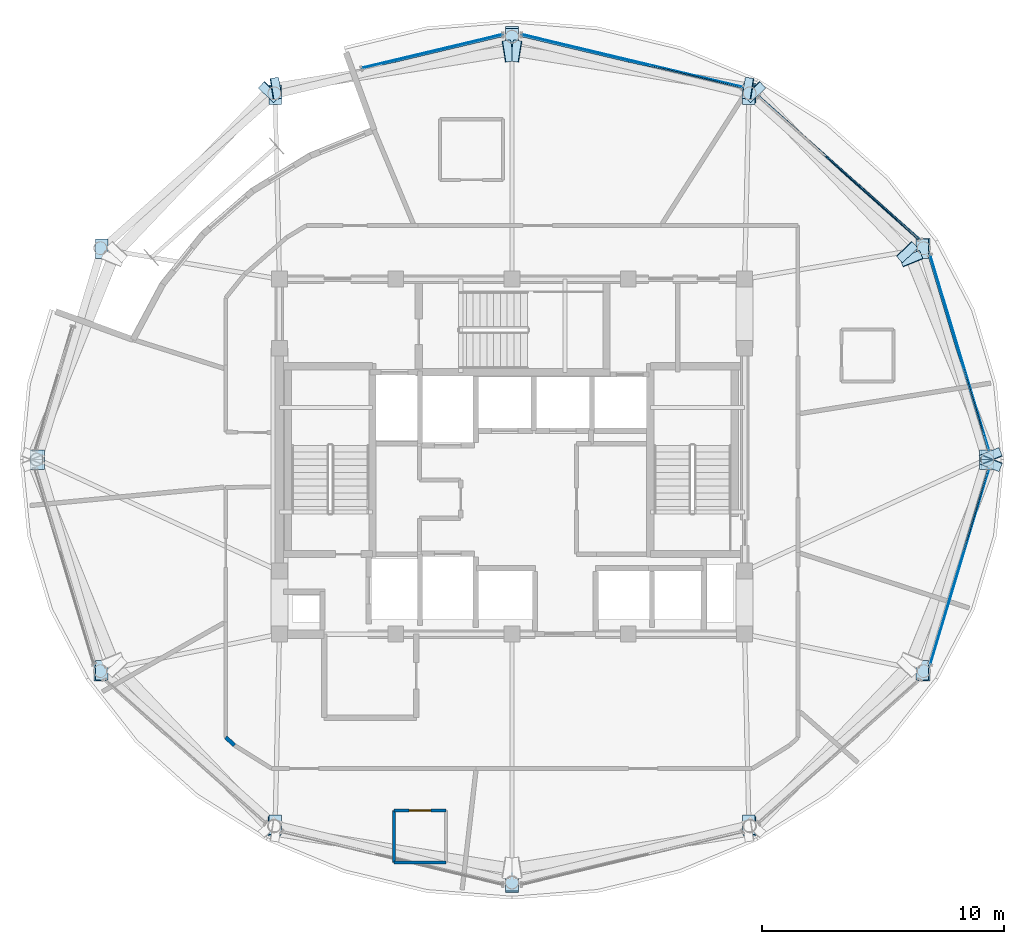
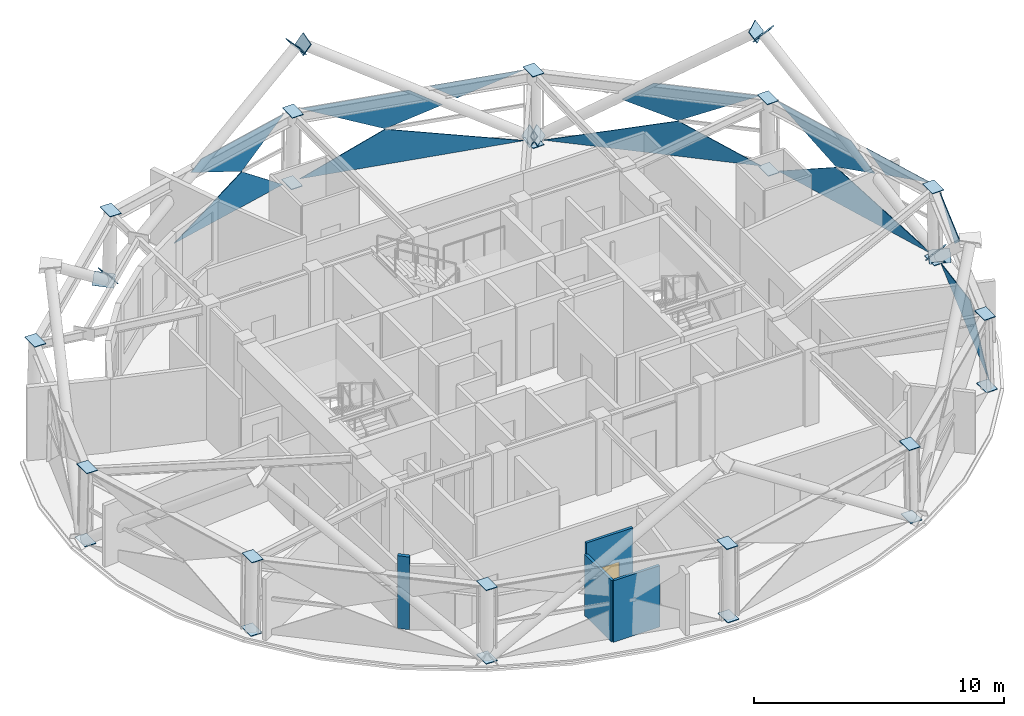
# One storey, part 7 of 15: 44 plates, 4 walls, 1 door, 1 opening, 5 elements without a shape of their own.
"""IFC4 building model written with IfcOpenShell, lengths in metres."""

from ifc_helpers import new_model, si_unit, direction, frame, frame_2d, origin, place, context, subcontext, project, spatial, polyline, rectangle, outline, extrude, material, layer, layer_set, type_object, element, fill, aggregate, save


model = new_model("IFC4")

# Units and contexts
model_context = context("Model", 3, precision=1e-05, world=origin(), true_north=direction((0.0, 1.0)))
body_context = subcontext(model_context, "Body", "Model", "MODEL_VIEW")
ifc_project = project(units=[si_unit("LENGTHUNIT", "METRE"), si_unit("AREAUNIT", "SQUARE_METRE"), si_unit("VOLUMEUNIT", "CUBIC_METRE"), si_unit("PLANEANGLEUNIT", "RADIAN"), si_unit("MASSUNIT", "GRAM", prefix="KILO")], contexts=[model_context])

# Site, building, storey
site_placement = place(None, origin())
site = spatial("IfcSite", under=ifc_project, at=site_placement, CompositionType="ELEMENT")
building_placement = place(site_placement, origin())
building = spatial("IfcBuilding", under=site, at=building_placement, Name="Vantalir Tower", CompositionType="ELEMENT")
storey_placement = place(building_placement, frame((0.0, 0.0, 275.10009765625)))
storey = spatial("IfcBuildingStorey", under=building, at=storey_placement, Name="L69", CompositionType="ELEMENT", Elevation=275.10009765625)

# Curtain wall, plates
ifc_material_1 = material(Name="Champagne-silver PVDF aluminium and double-silver Low-E glass", Category="aluminium")
ifc_layer_1 = layer(ifc_material_1, 0.219970703125)
ifc_layer_set_1 = layer_set([ifc_layer_1], Name="Champagne-silver PVDF aluminium and double-silver Low-E glass")
curtain_wall_type = type_object("IfcCurtainWallType", Name="CW-DIAMOND-Z4", PredefinedType="USERDEFINED", material=ifc_layer_set_1)
curtain_wall_1_placement = place(storey_placement, origin())
curtain_wall_1 = element("IfcCurtainWall", 1, at=curtain_wall_1_placement, inside=storey, type_object=curtain_wall_type, Name="L69 Quilted Pyramid-Diamond Curtain Wall S01", ObjectType="UNITISED CURTAIN WALL", PredefinedType="USERDEFINED")
ifc_material_2 = material(Name="Double-silver Low-E acoustic glass IGU", Category="glass")
ifc_layer_2 = layer(ifc_material_2, 0.031982421875)
ifc_layer_set_2 = layer_set([ifc_layer_2], Name="Double-silver Low-E acoustic glass IGU")
plate_type_1 = type_object("IfcPlateType", Name="CWP-IGU-32", PredefinedType="CURTAIN_PANEL", material=ifc_layer_set_2)
plate_1_placement = place(storey_placement, frame((51.203369140625, 25.3876953125, 0.046875), z_axis=(0.957604111575, 0.287966061156, 0.008361406346), x_axis=(-0.287976360321, 0.957637517568, 2.9029875e-05)))
plate_1 = element("IfcPlate", 2, at=plate_1_placement, type_object=plate_type_1, Name="CW-L69-S01 Pyramid Diamond Facet 1L", PredefinedType="CURTAIN_PANEL", context=body_context, shape_type="SweptSolid", body=[
    extrude(outline(polyline([(0.0, 0.0), (8.409978504136427, 9.215718466126788e-19), (5.21001830640283, 1.725006712147774), (0.0, 0.0)])), origin(), (0.0, 0.0, -1.0), 0.031982421875),
])
plate_2_placement = place(storey_placement, frame((49.876708984375, 29.531982421875, 3.52294921875), z_axis=(0.956999253722, 0.287851344839, 0.035972651417), x_axis=(-0.288035694593, 0.957619671381, -6.0197969e-05)))
plate_2 = element("IfcPlate", 3, at=plate_2_placement, type_object=plate_type_1, Name="CW-L69-S01 Pyramid Diamond Facet 2U", PredefinedType="CURTAIN_PANEL", context=body_context, shape_type="SweptSolid", body=[
    extrude(outline(polyline([(0.0, 0.0), (4.044712519839099, 8.429671891074797e-18), (0.8592034600220758, -1.7261631534987343), (-1.2797720131007355, -1.0144048077991257), (0.0, 0.0)])), origin(), (0.0, 0.0, -1.0), 0.031982421875),
])
plate_3_placement = place(storey_placement, frame((51.157958984375, 25.398193359375, 3.5244140625), z_axis=(0.956982534962, 0.287897475671, 0.036048179985), x_axis=(-0.288082309931, 0.957605648405, -6.9618731e-05)))
plate_3 = element("IfcPlate", 4, at=plate_3_placement, type_object=plate_type_1, Name="CW-L69-S01 Pyramid Diamond Facet 2U Infill Light", PredefinedType="CURTAIN_PANEL", context=body_context, shape_type="SweptSolid", body=[
    extrude(outline(polyline([(0.0, 0.0), (3.50682381883066, 5.1228552649940085e-18), (2.4697584677772304, -0.8218954520316802), (0.0, 0.0)])), origin(), (0.0, 0.0, -1.0), 0.031982421875),
])
aggregate(curtain_wall_1, [plate_1, plate_2, plate_3])

curtain_wall_2_placement = place(storey_placement, origin())
curtain_wall_2 = element("IfcCurtainWall", 5, at=curtain_wall_2_placement, inside=storey, type_object=curtain_wall_type, Name="L69 Quilted Pyramid-Diamond Curtain Wall S02", ObjectType="UNITISED CURTAIN WALL", PredefinedType="USERDEFINED")
plate_4_placement = place(storey_placement, frame((48.36279296875, 34.098388671875, 0.047119140625), z_axis=(0.665151008486, 0.746671409792, 0.007479419082), x_axis=(-0.746692021826, 0.665169919296, -5.4823203e-05)))
plate_4 = element("IfcPlate", 6, at=plate_4_placement, type_object=plate_type_1, Name="CW-L69-S02 Pyramid Diamond Facet 1L", PredefinedType="CURTAIN_PANEL", context=body_context, shape_type="SweptSolid", body=[
    extrude(outline(polyline([(0.0, 0.0), (8.906470714310434, 3.3068166260807885e-18), (3.3911132197052147, 1.7253318302117941), (0.0, 0.0)])), origin(), (0.0, 0.0, -1.0), 0.031982421875),
])
plate_5_placement = place(storey_placement, frame((48.292724609375, 34.062255859375, 3.522705078125), z_axis=(0.664843369795, 0.746182130521, 0.034576317479), x_axis=(-0.746629861989, 0.665239690658, 5.6216274e-05)))
plate_5 = element("IfcPlate", 7, at=plate_5_placement, type_object=plate_type_1, Name="CW-L69-S02 Pyramid Diamond Facet 2U", PredefinedType="CURTAIN_PANEL", context=body_context, shape_type="SweptSolid", body=[
    extrude(outline(polyline([(0.0, 0.0), (4.3492869688753375, 1.1275702593849246e-17), (5.665571421070006, -1.0040927138565632), (3.362871188413819, -1.7263185812799955), (0.0, 0.0)])), origin(), (0.0, 0.0, -1.0), 0.031982421875),
])
aggregate(curtain_wall_2, [plate_4, plate_5])

curtain_wall_3_placement = place(storey_placement, origin())
curtain_wall_3 = element("IfcCurtainWall", 8, at=curtain_wall_3_placement, inside=storey, type_object=curtain_wall_type, Name="L69 Quilted Pyramid-Diamond Curtain Wall S03", ObjectType="UNITISED CURTAIN WALL", PredefinedType="USERDEFINED")
plate_6_placement = place(storey_placement, frame((41.01611328125, 40.385986328125, 0.046630859375), z_axis=(0.232221341907, 0.972642544246, 0.006303133056), x_axis=(-0.97266190389, 0.232225795386, 2.6031364e-05)))
plate_6 = element("IfcPlate", 9, at=plate_6_placement, type_object=plate_type_1, Name="CW-L69-S03 Pyramid Diamond Facet 1L", PredefinedType="CURTAIN_PANEL", context=body_context, shape_type="SweptSolid", body=[
    extrude(outline(polyline([(0.0, 0.0), (9.378710543343471, 6.2341624917916505e-19), (5.809914485881355, 1.7254689744261527), (0.0, 0.0)])), origin(), (0.0, 0.0, -1.0), 0.031982421875),
])
plate_7_placement = place(storey_placement, frame((36.2998046875, 41.4404296875, 3.52294921875), z_axis=(0.232018905247, 0.972123742793, 0.033803199644), x_axis=(-0.972679625293, 0.232151559415, 5.61551e-07)))
plate_7 = element("IfcPlate", 10, at=plate_7_placement, type_object=plate_type_1, Name="CW-L69-S03 Pyramid Diamond Facet 2U", PredefinedType="CURTAIN_PANEL", context=body_context, shape_type="SweptSolid", body=[
    extrude(outline(polyline([(0.0, 0.0), (4.529742667009281, 0.0), (0.9775081115874013, -1.7263289280254674), (-1.4124941260072281, -1.0130267711499568), (0.0, 0.0)])), origin(), (0.0, 0.0, -1.0), 0.031982421875),
])
plate_8_placement = place(storey_placement, frame((40.984619140625, 40.359130859375, 3.5244140625), z_axis=(0.232033056585, 0.972116548684, 0.033912776744), x_axis=(-0.972675544698, 0.232168647529, -6.2060585e-05)))
plate_8 = element("IfcPlate", 11, at=plate_8_placement, type_object=plate_type_1, Name="CW-L69-S03 Pyramid Diamond Facet 2U Infill Light", PredefinedType="CURTAIN_PANEL", context=body_context, shape_type="SweptSolid", body=[
    extrude(outline(polyline([(0.0, 0.0), (3.9339079063755373, -2.087089182034596e-18), (2.7782925911796483, -0.8289176568402569), (0.0, 0.0)])), origin(), (0.0, 0.0, -1.0), 0.031982421875),
])
aggregate(curtain_wall_3, [plate_6, plate_7, plate_8])

curtain_wall_4_placement = place(storey_placement, origin())
curtain_wall_4 = element("IfcCurtainWall", 12, at=curtain_wall_4_placement, inside=storey, type_object=curtain_wall_type, Name="L69 Quilted Pyramid-Diamond Curtain Wall S04", ObjectType="UNITISED CURTAIN WALL", PredefinedType="USERDEFINED")
plate_9_placement = place(storey_placement, frame((31.1064453125, 42.56396484375, 0.048095703125), z_axis=(-0.23222507077, 0.972641752051, 0.006287978466), x_axis=(-0.972661097042, -0.232229161909, -8.1612779e-05)))
plate_9 = element("IfcPlate", 13, at=plate_9_placement, type_object=plate_type_1, Name="CW-L69-S04 Pyramid Diamond Facet 1L", PredefinedType="CURTAIN_PANEL", context=body_context, shape_type="SweptSolid", body=[
    extrude(outline(polyline([(0.0, 0.0), (5.982901912289077, 1.5178830414797062e-18), (2.2767823431573264, 1.7231202761787303), (0.0, 0.0)])), origin(), (0.0, 0.0, -1.0), 0.031982421875),
])
plate_10_placement = place(storey_placement, frame((31.1064453125, 42.4921875, 3.521728515625), z_axis=(-0.232060517014, 0.972109110604, 0.033938083678), x_axis=(-0.972668569001, -0.232197853423, 0.000108367041)))
plate_10 = element("IfcPlate", 14, at=plate_10_placement, type_object=plate_type_1, Name="CW-L69-S04 Pyramid Diamond Facet 2U", PredefinedType="CURTAIN_PANEL", context=body_context, shape_type="SweptSolid", body=[
    extrude(outline(polyline([(0.0, 0.0), (4.53133755887724, 9.432558900623889e-18), (5.0925132899782, -0.40263927717436016), (2.2601827252252593, -1.724135773960961), (0.0, 0.0)])), origin(), (0.0, 0.0, -1.0), 0.031982421875),
])
aggregate(curtain_wall_4, [plate_9, plate_10])

curtain_wall_5_placement = place(storey_placement, origin())
curtain_wall_5 = element("IfcCurtainWall", 15, at=curtain_wall_5_placement, inside=storey, type_object=curtain_wall_type, Name="L69 Quilted Pyramid-Diamond Curtain Wall S12", ObjectType="UNITISED CURTAIN WALL", PredefinedType="USERDEFINED")
plate_11_placement = place(storey_placement, frame((48.781494140625, 16.55859375, 0.047119140625), z_axis=(0.957604111575, -0.287966061156, 0.008361406346), x_axis=(0.287976360321, 0.957637517568, -2.9029875e-05)))
plate_11 = element("IfcPlate", 16, at=plate_11_placement, type_object=plate_type_1, Name="CW-L69-S12 Pyramid Diamond Facet 1L", PredefinedType="CURTAIN_PANEL", context=body_context, shape_type="SweptSolid", body=[
    extrude(outline(polyline([(0.0, 0.0), (8.409978504136427, -9.215718466126788e-19), (3.199960197733598, 1.725006712147774), (0.0, 0.0)])), origin(), (0.0, 0.0, -1.0), 0.031982421875),
])
plate_12_placement = place(storey_placement, frame((50.147705078125, 21.24365234375, 3.524169921875), z_axis=(0.956982534962, -0.287897475671, 0.036048179985), x_axis=(0.288082309931, 0.957605648405, 6.9618731e-05)))
plate_12 = element("IfcPlate", 17, at=plate_12_placement, type_object=plate_type_1, Name="CW-L69-S12 Pyramid Diamond Facet 2U Infill Light", PredefinedType="CURTAIN_PANEL", context=body_context, shape_type="SweptSolid", body=[
    extrude(outline(polyline([(0.0, 0.0), (3.50682381883066, -5.1228552649940085e-18), (1.03706535105343, -0.8218954520316802), (0.0, 0.0)])), origin(), (0.0, 0.0, -1.0), 0.031982421875),
])
aggregate(curtain_wall_5, [plate_11, plate_12])

# Plates
ifc_material_3 = material(Name="Steel S460", Category="steel")
ifc_layer_3 = layer(ifc_material_3, 0.035888671875)
ifc_layer_set_3 = layer_set([ifc_layer_3], Name="Steel S460")
plate_type_2 = type_object("IfcPlateType", Name="PLT-KN-Z2", PredefinedType="USERDEFINED", material=ifc_layer_set_3)
plate_13_placement = place(storey_placement, frame((51.59423828125, 25.496826171875, -0.007080078125), z_axis=(-0.293491413261, 0.729149543793, 0.618226279875), x_axis=(-0.927670974944, -0.373398663958, 0.0)))
element("IfcPlate", 18, at=plate_13_placement, inside=storey, type_object=plate_type_2, Name="Node Cap Plate MEM-DG-L69-R01L Start", ObjectType="FLANGE_PLATE", PredefinedType="USERDEFINED", context=body_context, shape_type="SweptSolid", body=[
    extrude(outline(polyline([(0.0, 0.0), (0.8800601420658444, 2.7755575615628914e-17), (0.8798837785566065, 0.5799115119921887), (-0.00017636350923788856, 0.5799115119921887), (0.0, 0.0)])), origin(), (0.0, 0.0, -1.0), 0.035888671875),
])
plate_14_placement = place(storey_placement, frame((48.317626953125, 33.6357421875, 6.893310546875), z_axis=(-0.293601828117, 0.72904397498, 0.618298349562), x_axis=(-0.927592593642, -0.373593333486, 3.7340597e-05)))
element("IfcPlate", 19, at=plate_14_placement, inside=storey, type_object=plate_type_2, Name="Node Cap Plate MEM-DG-L69-R01L End", ObjectType="FLANGE_PLATE", PredefinedType="USERDEFINED", context=body_context, shape_type="SweptSolid", body=[
    extrude(outline(polyline([(0.0, 0.0), (0.8801513313833746, 0.0), (0.8800672252293938, 0.579911530275008), (0.0002335661915094532, 0.5799951481075296), (0.0, 0.0)])), origin(), (0.0, 0.0, -1.0), 0.035888671875),
])
plate_15_placement = place(storey_placement, frame((50.77783203125, 24.831787109375, -0.007080078125), z_axis=(-0.293491413261, -0.729149543793, 0.618226279875), x_axis=(0.927670974944, -0.373398663958, 0.0)))
element("IfcPlate", 20, at=plate_15_placement, inside=storey, type_object=plate_type_2, Name="Node Cap Plate MEM-DG-L69-R01R Start", ObjectType="FLANGE_PLATE", PredefinedType="USERDEFINED", context=body_context, shape_type="SweptSolid", body=[
    extrude(outline(polyline([(0.0, 0.0), (0.8800601420658444, -2.7755575615628914e-17), (0.8802365055750823, 0.5799115119921887), (0.00017636350923788856, 0.5799115119921887), (0.0, 0.0)])), origin(), (0.0, 0.0, -1.0), 0.035888671875),
])
plate_16_placement = place(storey_placement, frame((41.130615234375, 40.78271484375, -0.023681640625), z_axis=(-0.803713802498, 0.129642187055, 0.580721126712), x_axis=(-0.159252877978, -0.987237823803, -1.0444768e-05)))
element("IfcPlate", 21, at=plate_16_placement, inside=storey, type_object=plate_type_2, Name="Node Cap Plate MEM-DG-L69-R07L Start", ObjectType="FLANGE_PLATE", PredefinedType="USERDEFINED", context=body_context, shape_type="SweptSolid", body=[
    extrude(outline(polyline([(0.0, 0.0), (0.8798836252561697, 1.3877787807814457e-17), (0.8799494702878352, 0.5799971461975794), (-0.0001751798276613569, 0.5799745656542845), (0.0, 0.0)])), origin(), (0.0, 0.0, -1.0), 0.035888671875),
])
plate_17_placement = place(storey_placement, frame((31.55810546875, 42.326416015625, 6.892333984375), z_axis=(-0.803701023683, 0.129621912783, 0.580743337678), x_axis=(-0.15922371753, -0.987242527334, 0.0)))
element("IfcPlate", 22, at=plate_17_placement, inside=storey, type_object=plate_type_2, Name="Node Cap Plate MEM-DG-L69-R07L End", ObjectType="FLANGE_PLATE", PredefinedType="USERDEFINED", context=body_context, shape_type="SweptSolid", body=[
    extrude(outline(polyline([(0.0, 0.0), (0.8801246505474388, 0.0), (0.8802053763134176, 0.5799971445332299), (8.072576597879799e-05, 0.5799971445332299), (0.0, 0.0)])), origin(), (0.0, 0.0, -1.0), 0.035888671875),
])
plate_18_placement = place(storey_placement, frame((41.3369140625, 39.730224609375, -0.013427734375), z_axis=(0.549133273298, -0.577656805513, 0.603957997879), x_axis=(0.724773035438, 0.688987697348, 2.389139e-06)))
element("IfcPlate", 23, at=plate_18_placement, inside=storey, type_object=plate_type_2, Name="Node Cap Plate MEM-DG-L69-R07R Start", ObjectType="FLANGE_PLATE", PredefinedType="USERDEFINED", context=body_context, shape_type="SweptSolid", body=[
    extrude(outline(polyline([(0.0, 0.0), (0.8801946732936545, 5.551115123125783e-17), (0.8799657202018253, 0.5798578901498292), (0.00011620333707358386, 0.579863166065134), (0.0, 0.0)])), origin(), (0.0, 0.0, -1.0), 0.035888671875),
])
plate_19_placement = place(storey_placement, frame((47.616455078125, 33.125732421875, 6.892822265625), z_axis=(0.549147817676, -0.577445289762, 0.60414701164), x_axis=(0.724639153367, 0.689128505729, 0.0)))
element("IfcPlate", 24, at=plate_19_placement, inside=storey, type_object=plate_type_2, Name="Node Cap Plate MEM-DG-L69-R07R End", ObjectType="FLANGE_PLATE", PredefinedType="USERDEFINED", context=body_context, shape_type="SweptSolid", body=[
    extrude(outline(polyline([(0.0, 0.0), (0.8800177433652661, 0.0), (0.8800239746343066, 0.5799647775669764), (6.231269040535281e-06, 0.5799647775669764), (0.0, 0.0)])), origin(), (0.0, 0.0, -1.0), 0.035888671875),
])
plate_20_placement = place(storey_placement, frame((21.025146484375, 40.336669921875, -0.013427734375), z_axis=(-0.549133273298, -0.577656805513, 0.603957997879), x_axis=(0.724773035438, -0.688987697348, -2.389139e-06)))
element("IfcPlate", 25, at=plate_20_placement, inside=storey, type_object=plate_type_2, Name="Node Cap Plate MEM-DG-L69-R13L Start", ObjectType="FLANGE_PLATE", PredefinedType="USERDEFINED", context=body_context, shape_type="SweptSolid", body=[
    extrude(outline(polyline([(0.0, 0.0), (0.8801946732936545, -5.551115123125783e-17), (0.880078469956581, 0.579863166065134), (0.00022895309182914816, 0.5798578901498292), (0.0, 0.0)])), origin(), (0.0, 0.0, -1.0), 0.035888671875),
])
plate_21_placement = place(storey_placement, frame((22.009521484375, 39.9140625, -0.023681640625), z_axis=(0.803713802498, 0.129642187055, 0.580721126712), x_axis=(-0.159252877978, 0.987237823803, 1.0444768e-05)))
element("IfcPlate", 26, at=plate_21_placement, inside=storey, type_object=plate_type_2, Name="Node Cap Plate MEM-DG-L69-R13R Start", ObjectType="FLANGE_PLATE", PredefinedType="USERDEFINED", context=body_context, shape_type="SweptSolid", body=[
    extrude(outline(polyline([(0.0, 0.0), (0.8798836252561697, -1.3877787807814457e-17), (0.880058805083831, 0.5799745656542845), (-6.584503166548136e-05, 0.5799971461975794), (0.0, 0.0)])), origin(), (0.0, 0.0, -1.0), 0.035888671875),
])
plate_22_placement = place(storey_placement, frame((31.58203125, 41.45751953125, 6.892333984375), z_axis=(0.803701023683, 0.129621912783, 0.580743337678), x_axis=(-0.15922371753, 0.987242527334, 0.0)))
element("IfcPlate", 27, at=plate_22_placement, inside=storey, type_object=plate_type_2, Name="Node Cap Plate MEM-DG-L69-R13R End", ObjectType="FLANGE_PLATE", PredefinedType="USERDEFINED", context=body_context, shape_type="SweptSolid", body=[
    extrude(outline(polyline([(0.0, 0.0), (0.8801246505474388, 0.0), (0.88004392478146, 0.5799971445332299), (-8.072576597879799e-05, 0.5799971445332299), (0.0, 0.0)])), origin(), (0.0, 0.0, -1.0), 0.035888671875),
])
ifc_layer_4 = layer(ifc_material_3, 0.031982421875)
ifc_layer_set_4 = layer_set([ifc_layer_4], Name="Steel S460")
plate_type_3 = type_object("IfcPlateType", Name="PLT-KN-Z3", PredefinedType="USERDEFINED", material=ifc_layer_set_4)
for number, where, z_axis, x_axis, name in (
    (28, (50.78955078125, 25.39990234375, 3.588134765625), (-0.022070714593, 0.0, 0.999756412111), (0.0, -1.0, 0.0), "L69 Ring Column Top Cap RC01"),
    (29, (50.868896484375, 25.39990234375, 0.047119140625), (-0.022070714593, 0.0, 0.999756412111), (0.0, -1.0, 0.0), "L69 Ring Column Base Cap RC01"),
):
    element("IfcPlate", number, at=place(storey_placement, frame(where, z_axis=z_axis, x_axis=x_axis)), inside=storey, type_object=plate_type_3, Name=name, ObjectType="FLANGE_PLATE", PredefinedType="USERDEFINED", context=body_context, shape_type="SweptSolid", body=[
        extrude(outline(polyline([(0.0, 0.0), (0.7998046875, 0.0), (0.7998046875, 0.5199020324635019), (0.0, 0.5199020324635019), (0.0, 0.0)])), origin(), (0.0, 0.0, -1.0), 0.031982421875),
    ])
plate_23_placement = place(storey_placement, frame((48.170654296875, 34.097900390625, 3.593017578125), z_axis=(-0.019258048795, -0.010067808127, 0.999763855516), x_axis=(0.0, -0.999949299532, -0.010069675583)))
element("IfcPlate", 30, at=plate_23_placement, inside=storey, type_object=plate_type_3, Name="L69 Ring Column Top Cap RC02", ObjectType="FLANGE_PLATE", PredefinedType="USERDEFINED", context=body_context, shape_type="SweptSolid", body=[
    extrude(outline(polyline([(0.0, 0.0), (0.80008939303202, 0.0), (0.8002327261864732, 0.5198718026278117), (0.00014333315445323248, 0.5198718026278119), (0.0, 0.0)])), origin(), (0.0, 0.0, -1.0), 0.031982421875),
])
plate_24_placement = place(storey_placement, frame((48.239013671875, 34.133544921875, 0.052001953125), z_axis=(-0.019246648411, -0.010069346548, 0.999764059559), x_axis=(2.9568e-08, -0.999949284063, -0.010071211509)))
element("IfcPlate", 31, at=plate_24_placement, inside=storey, type_object=plate_type_3, Name="L69 Ring Column Base Cap RC02", ObjectType="FLANGE_PLATE", PredefinedType="USERDEFINED", context=body_context, shape_type="SweptSolid", body=[
    extrude(outline(polyline([(0.0, 0.0), (0.8000893930310758, 2.710505431213761e-20), (0.7999885979404613, 0.5201158506796115), (0.0001433331525650443, 0.5201158979958971), (0.0, 0.0)])), origin(), (0.0, 0.0, -1.0), 0.031982421875),
])
for number, where, z_axis, x_axis, name in (
    (32, (41.0146484375, 40.464599609375, 3.59814453125), (-0.011038731241, -0.017548120332, 0.999785081848), (-1.684162e-06, -0.999846000787, -0.017549208169), "L69 Ring Column Top Cap RC03"),
    (33, (41.054443359375, 40.527099609375, 0.05712890625), (-0.011038731241, -0.017548120332, 0.999785081848), (-1.684162e-06, -0.999846000787, -0.017549208169), "L69 Ring Column Base Cap RC03"),
):
    element("IfcPlate", number, at=place(storey_placement, frame(where, z_axis=z_axis, x_axis=x_axis)), inside=storey, type_object=plate_type_3, Name=name, ObjectType="FLANGE_PLATE", PredefinedType="USERDEFINED", context=body_context, shape_type="SweptSolid", body=[
        extrude(outline(polyline([(0.0, 0.0), (0.799930017737327, 5.421010862427522e-20), (0.8000704175760921, 0.5200525647995917), (0.0001446843134157658, 0.5200498702190909), (0.0, 0.0)])), origin(), (0.0, 0.0, -1.0), 0.031982421875),
    ])
plate_25_placement = place(storey_placement, frame((31.239990234375, 42.79541015625, 3.60205078125), z_axis=(0.0, -0.020142432833, 0.99979712062), x_axis=(0.0, -0.99979712062, -0.020142432833)))
element("IfcPlate", 34, at=plate_25_placement, inside=storey, type_object=plate_type_3, Name="L69 Ring Column Top Cap RC04", ObjectType="FLANGE_PLATE", PredefinedType="USERDEFINED", context=body_context, shape_type="SweptSolid", body=[
    extrude(outline(polyline([(0.0, 0.0), (0.7999669843059863, 0.0), (0.7999669843059863, 0.52001953125), (0.0, 0.52001953125), (0.0, 0.0)])), origin(), (0.0, 0.0, -1.0), 0.031982421875),
])
plate_26_placement = place(storey_placement, frame((31.239990234375, 42.866943359375, 0.06103515625), z_axis=(0.0, -0.020136288718, 0.999797244383), x_axis=(0.0, -0.999797244383, -0.020136288718)))
element("IfcPlate", 35, at=plate_26_placement, inside=storey, type_object=plate_type_3, Name="L69 Ring Column Base Cap RC04", ObjectType="FLANGE_PLATE", PredefinedType="USERDEFINED", context=body_context, shape_type="SweptSolid", body=[
    extrude(outline(polyline([(0.0, 0.0), (0.8002110754149978, 0.0), (0.8002110754149978, 0.52001953125), (0.0, 0.52001953125), (0.0, 0.0)])), origin(), (0.0, 0.0, -1.0), 0.031982421875),
])
plate_27_placement = place(storey_placement, frame((21.46533203125, 40.46435546875, 3.603759765625), z_axis=(0.011038731241, -0.017548120332, 0.999785081848), x_axis=(-1.684171e-06, -0.99984600144, -0.017549170991)))
element("IfcPlate", 36, at=plate_27_placement, inside=storey, type_object=plate_type_3, Name="L69 Ring Column Top Cap RC05", ObjectType="FLANGE_PLATE", PredefinedType="USERDEFINED", context=body_context, shape_type="SweptSolid", body=[
    extrude(outline(polyline([(0.0, 0.0), (0.7999257332672147, 0.0), (0.7997835816114477, 0.5200525643236991), (-0.00014643612134094798, 0.5200498697287659), (0.0, 0.0)])), origin(), (0.0, 0.0, -1.0), 0.031982421875),
])
plate_28_placement = place(storey_placement, frame((14.3095703125, 34.09765625, 3.60302734375), z_axis=(0.019258048795, -0.010067808127, 0.999763855516), x_axis=(0.0, -0.999949299532, -0.010069675583)))
element("IfcPlate", 37, at=plate_28_placement, inside=storey, type_object=plate_type_3, Name="L69 Ring Column Top Cap RC06", ObjectType="FLANGE_PLATE", PredefinedType="USERDEFINED", context=body_context, shape_type="SweptSolid", body=[
    extrude(outline(polyline([(0.0, 0.0), (0.80008939303202, 0.0), (0.7999460598775668, 0.5198718026278117), (-0.00014333315445323248, 0.5198718026278119), (0.0, 0.0)])), origin(), (0.0, 0.0, -1.0), 0.031982421875),
])
for number, where, z_axis, x_axis, name in (
    (38, (11.690673828125, 25.39990234375, 3.599609375), (0.022070714593, 0.0, 0.999756412111), (0.0, -1.0, 0.0), "L69 Ring Column Top Cap RC07"),
    (39, (11.611328125, 25.39990234375, 0.05859375), (0.022070714593, 0.0, 0.999756412111), (0.0, -1.0, 0.0), "L69 Ring Column Base Cap RC07"),
):
    element("IfcPlate", number, at=place(storey_placement, frame(where, z_axis=z_axis, x_axis=x_axis)), inside=storey, type_object=plate_type_3, Name=name, ObjectType="FLANGE_PLATE", PredefinedType="USERDEFINED", context=body_context, shape_type="SweptSolid", body=[
        extrude(outline(polyline([(0.0, 0.0), (0.7998046875, 0.0), (0.7998046875, 0.5199020324635019), (0.0, 0.5199020324635019), (0.0, 0.0)])), origin(), (0.0, 0.0, -1.0), 0.031982421875),
    ])
plate_29_placement = place(storey_placement, frame((14.3095703125, 16.702392578125, 3.594970703125), z_axis=(0.019258048795, 0.010067808127, 0.999763855516), x_axis=(0.0, -0.999949299532, 0.010069675583)))
element("IfcPlate", 40, at=plate_29_placement, inside=storey, type_object=plate_type_3, Name="L69 Ring Column Top Cap RC08", ObjectType="FLANGE_PLATE", PredefinedType="USERDEFINED", context=body_context, shape_type="SweptSolid", body=[
    extrude(outline(polyline([(0.0, 0.0), (0.80008939303202, 0.0), (0.8002327261864732, 0.5198718026278117), (0.00014333315445323248, 0.5198718026278119), (0.0, 0.0)])), origin(), (0.0, 0.0, -1.0), 0.031982421875),
])
plate_30_placement = place(storey_placement, frame((14.240966796875, 16.66650390625, 0.053955078125), z_axis=(0.019246648411, 0.010069346548, 0.999764059559), x_axis=(-2.9577e-08, -0.999949284052, 0.010071212647)))
element("IfcPlate", 41, at=plate_30_placement, inside=storey, type_object=plate_type_3, Name="L69 Ring Column Base Cap RC08", ObjectType="FLANGE_PLATE", PredefinedType="USERDEFINED", context=body_context, shape_type="SweptSolid", body=[
    extrude(outline(polyline([(0.0, 0.0), (0.7998452647878976, 2.710505431213761e-20), (0.7999885671720711, 0.5201158980043753), (-0.00010082585900329556, 0.520115850673648), (0.0, 0.0)])), origin(), (0.0, 0.0, -1.0), 0.031982421875),
])
for number, where, z_axis, x_axis, name in (
    (42, (21.46533203125, 10.33544921875, 3.58984375), (0.011038731241, 0.017548120332, 0.999785081848), (1.684171e-06, -0.99984600144, 0.017549170991), "L69 Ring Column Top Cap RC09"),
    (43, (21.425537109375, 10.27294921875, 0.048828125), (0.011038731241, 0.017548120332, 0.999785081848), (1.684171e-06, -0.99984600144, 0.017549170991), "L69 Ring Column Base Cap RC09"),
):
    element("IfcPlate", number, at=place(storey_placement, frame(where, z_axis=z_axis, x_axis=x_axis)), inside=storey, type_object=plate_type_3, Name=name, ObjectType="FLANGE_PLATE", PredefinedType="USERDEFINED", context=body_context, shape_type="SweptSolid", body=[
        extrude(outline(polyline([(0.0, 0.0), (0.7999257332672147, 0.0), (0.8000721693885556, 0.5200498697287658), (0.00014215165576707137, 0.5200525643236991), (0.0, 0.0)])), origin(), (0.0, 0.0, -1.0), 0.031982421875),
    ])
plate_31_placement = place(storey_placement, frame((31.239990234375, 8.00439453125, 3.5859375), z_axis=(0.0, 0.020142432833, 0.99979712062), x_axis=(0.0, -0.99979712062, 0.020142432833)))
element("IfcPlate", 44, at=plate_31_placement, inside=storey, type_object=plate_type_3, Name="L69 Ring Column Top Cap RC10", ObjectType="FLANGE_PLATE", PredefinedType="USERDEFINED", context=body_context, shape_type="SweptSolid", body=[
    extrude(outline(polyline([(0.0, 0.0), (0.7999669843059863, 0.0), (0.7999669843059863, 0.52001953125), (0.0, 0.52001953125), (0.0, 0.0)])), origin(), (0.0, 0.0, -1.0), 0.031982421875),
])
plate_32_placement = place(storey_placement, frame((31.239990234375, 7.93310546875, 0.044921875), z_axis=(0.0, 0.020136288718, 0.999797244383), x_axis=(0.0, -0.999797244383, 0.020136288718)))
element("IfcPlate", 45, at=plate_32_placement, inside=storey, type_object=plate_type_3, Name="L69 Ring Column Base Cap RC10", ObjectType="FLANGE_PLATE", PredefinedType="USERDEFINED", context=body_context, shape_type="SweptSolid", body=[
    extrude(outline(polyline([(0.0, 0.0), (0.8002110754149978, 0.0), (0.8002110754149978, 0.52001953125), (0.0, 0.52001953125), (0.0, 0.0)])), origin(), (0.0, 0.0, -1.0), 0.031982421875),
])
for number, where, z_axis, x_axis, name in (
    (46, (41.0146484375, 10.335205078125, 3.583984375), (-0.011038731241, 0.017548120332, 0.999785081848), (1.684162e-06, -0.999846000787, 0.017549208169), "L69 Ring Column Top Cap RC11"),
    (47, (41.054443359375, 10.272705078125, 0.04296875), (-0.011038731241, 0.017548120332, 0.999785081848), (1.684162e-06, -0.999846000787, 0.017549208169), "L69 Ring Column Base Cap RC11"),
):
    element("IfcPlate", number, at=place(storey_placement, frame(where, z_axis=z_axis, x_axis=x_axis)), inside=storey, type_object=plate_type_3, Name=name, ObjectType="FLANGE_PLATE", PredefinedType="USERDEFINED", context=body_context, shape_type="SweptSolid", body=[
        extrude(outline(polyline([(0.0, 0.0), (0.799930017737327, -5.421010862427522e-20), (0.7997853334239112, 0.5200498702190909), (-0.00014039983876506712, 0.5200525647995917), (0.0, 0.0)])), origin(), (0.0, 0.0, -1.0), 0.031982421875),
    ])
plate_33_placement = place(storey_placement, frame((48.170654296875, 16.7021484375, 3.5849609375), z_axis=(-0.019258048795, 0.010067808127, 0.999763855516), x_axis=(0.0, -0.999949299532, 0.010069675583)))
element("IfcPlate", 48, at=plate_33_placement, inside=storey, type_object=plate_type_3, Name="L69 Ring Column Top Cap RC12", ObjectType="FLANGE_PLATE", PredefinedType="USERDEFINED", context=body_context, shape_type="SweptSolid", body=[
    extrude(outline(polyline([(0.0, 0.0), (0.80008939303202, 0.0), (0.7999460598775668, 0.5198718026278117), (-0.00014333315445323248, 0.5198718026278119), (0.0, 0.0)])), origin(), (0.0, 0.0, -1.0), 0.031982421875),
])
plate_34_placement = place(storey_placement, frame((48.239013671875, 16.66650390625, 0.0439453125), z_axis=(-0.019246648411, 0.010069346548, 0.999764059559), x_axis=(-2.9568e-08, -0.999949284063, 0.010071211509)))
element("IfcPlate", 49, at=plate_34_placement, inside=storey, type_object=plate_type_3, Name="L69 Ring Column Base Cap RC12", ObjectType="FLANGE_PLATE", PredefinedType="USERDEFINED", context=body_context, shape_type="SweptSolid", body=[
    extrude(outline(polyline([(0.0, 0.0), (0.8000893930310758, -2.710505431213761e-20), (0.7999460598785109, 0.5201158979958971), (0.0001007950906144766, 0.5201158506796115), (0.0, 0.0)])), origin(), (0.0, 0.0, -1.0), 0.031982421875),
])

# Wall
ifc_material_4 = material(Name="Moisture-resistant en-suite partition", Category="gypsum")
ifc_layer_5 = layer(ifc_material_4, 0.125)
ifc_layer_set_5 = layer_set([ifc_layer_5], Name="Moisture-resistant en-suite partition")
wall_type_1 = type_object("IfcWallType", Name="WL-BATH-125", PredefinedType="PARTITIONING", material=ifc_layer_set_5)
wall_1_placement = place(storey_placement, frame((26.6259765625, 8.364990234375, 0.0), z_axis=(0.0, 0.0, 1.0), x_axis=(1.0, 0.0, 0.0)))
element("IfcWall", 50, at=wall_1_placement, inside=storey, type_object=wall_type_1, Name="L69 En-suite 06 South Wall", PredefinedType="PARTITIONING", context=body_context, shape_type="SweptSolid", body=[
    extrude(rectangle(XDim=2.14990234375, YDim=0.125, at=frame_2d((1.074951171875, 0.0))), origin(), (0.0, 0.0, 1.0), 3.0029296875),
])

# Wall, opening, door
wall_2_placement = place(storey_placement, frame((26.6259765625, 10.514892578125, 0.0), z_axis=(0.0, 0.0, 1.0), x_axis=(1.0, 0.0, 0.0)))
wall_2 = element("IfcWall", 51, at=wall_2_placement, inside=storey, type_object=wall_type_1, Name="L69 En-suite 06 North Wall", PredefinedType="PARTITIONING", context=body_context, shape_type="SweptSolid", body=[
    extrude(rectangle(XDim=2.14990234375, YDim=0.125, at=frame_2d((1.074951171875, 0.0))), origin(), (0.0, 0.0, 1.0), 3.5498046875),
])
opening_placement = place(wall_2_placement, frame((0.625, 0.0, 0.0)))
opening = element("IfcOpeningElement", 52, at=opening_placement, cuts=wall_2, Name="Opening D-WC", PredefinedType="OPENING", context=body_context, shape_type="SweptSolid", body=[
    extrude(rectangle(XDim=0.89990234375, YDim=2.10009765625, at=frame_2d((0.449951171875, 1.050048828125))), frame((0.0, 0.072509765625, 0.0), z_axis=(0.0, -1.0, 0.0), x_axis=(1.0, 0.0, 0.0)), (0.0, 0.0, 1.0), 0.14501953125),
])
ifc_material_5 = material(Name="Moisture-resistant hardwood door", Category="wood")
door_type = type_object("IfcDoorType", Name="DR-ENSUITE-900", OperationType="NOTDEFINED", PredefinedType="DOOR", material=ifc_material_5)
door_placement = place(opening_placement, frame((0.89990234375, 0.0, 0.0), z_axis=(0.0, 0.0, 1.0), x_axis=(-1.0, 0.0, 0.0)))
door = element("IfcDoor", 53, at=door_placement, inside=storey, type_object=door_type, Name="L69 En-suite 06 Door", OperationType="SINGLE_SWING_RIGHT", OverallHeight=2.10009765625, OverallWidth=0.89990234375, PredefinedType="DOOR", context=body_context, shape_type="SweptSolid", body=[
    extrude(rectangle(XDim=0.89990234375, YDim=2.10009765625, at=frame_2d((0.449951171875, 1.050048828125))), frame((0.0, 0.02490234375, 0.0), z_axis=(0.0, -1.0, 0.0), x_axis=(1.0, 0.0, 0.0)), (0.0, 0.0, 1.0), 0.050048828125),
])
fill(opening, door)

# Walls
wall_3_placement = place(storey_placement, frame((26.6259765625, 8.364990234375, 0.0), z_axis=(0.0, 0.0, 1.0), x_axis=(0.0, 1.0, 0.0)))
element("IfcWall", 54, at=wall_3_placement, inside=storey, type_object=wall_type_1, Name="L69 En-suite 06 West Wall", PredefinedType="PARTITIONING", context=body_context, shape_type="SweptSolid", body=[
    extrude(rectangle(XDim=2.14990234375, YDim=0.125, at=frame_2d((1.074951171875, 0.0))), origin(), (0.0, 0.0, 1.0), 3.0029296875),
])
ifc_material_6 = material(Name="Fire-rated hotel corridor acoustic partition", Category="gypsum")
ifc_layer_6 = layer(ifc_material_6, 0.159912109375)
ifc_layer_set_6 = layer_set([ifc_layer_6], Name="Fire-rated hotel corridor acoustic partition")
wall_type_2 = type_object("IfcWallType", Name="WL-CORR-160", PredefinedType="PARTITIONING", material=ifc_layer_set_6)
wall_4_placement = place(storey_placement, frame((20.0439453125, 13.2099609375, 0.0), z_axis=(0.0, 0.0, 1.0), x_axis=(-0.735110961626, 0.67794680772, 0.0)))
element("IfcWall", 55, at=wall_4_placement, inside=storey, type_object=wall_type_2, Name="L69 Corridor Partition 19", PredefinedType="PARTITIONING", context=body_context, shape_type="SweptSolid", body=[
    extrude(rectangle(XDim=0.48681640625, YDim=0.159912109375, at=frame_2d((0.243408203125, 0.0))), origin(), (0.0, 0.0, 1.0), 3.5498046875),
])

save(model, "model.ifc")
